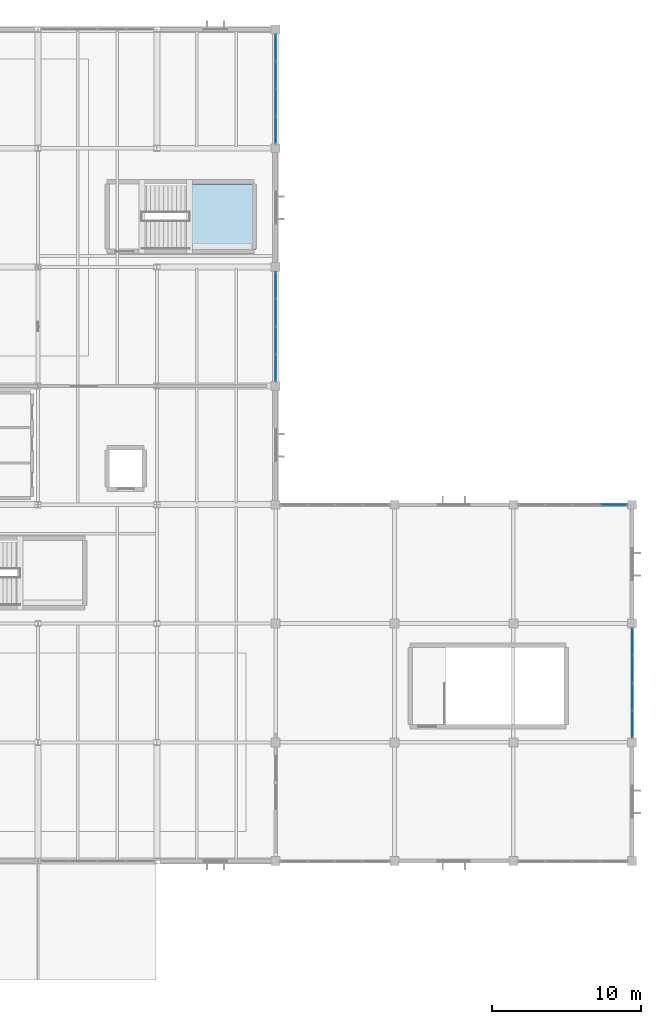
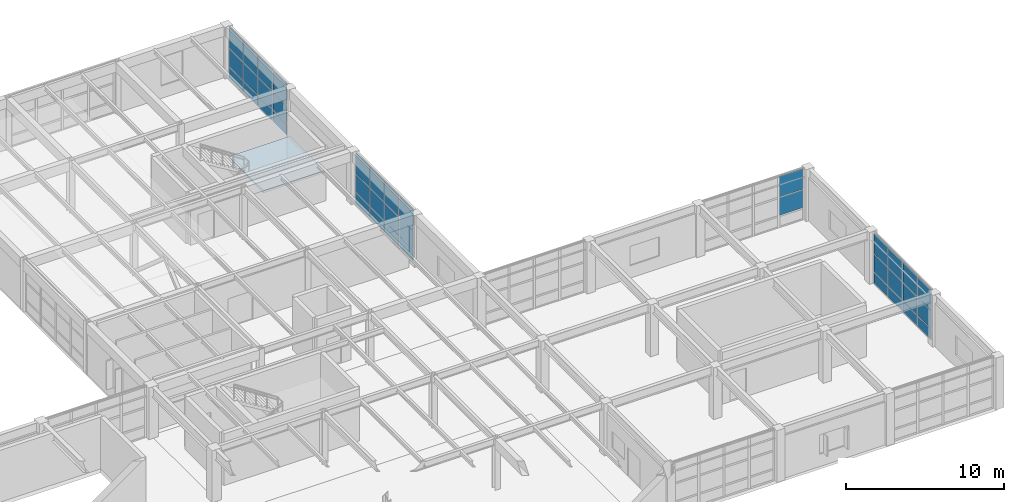
# One storey, part 34 of 48: 38 plates, 1 slab, 5 elements without a shape of their own.
"""IFC4 building model written with IfcOpenShell, lengths in metres."""

from ifc_helpers import new_model, si_unit, direction, frame, origin, origin_2d, place, context, subcontext, project, spatial, polyline, rectangle, outline, extrude, material, layer, layer_set, type_object, element, aggregate, save


model = new_model("IFC4")

# Units and contexts
model_context = context("Model", 3, precision=1e-05, world=origin(), true_north=direction((0.0, 1.0)))
body_context = subcontext(model_context, "Body", "Model", "MODEL_VIEW")
ifc_project = project(units=[si_unit("LENGTHUNIT", "METRE"), si_unit("AREAUNIT", "SQUARE_METRE"), si_unit("VOLUMEUNIT", "CUBIC_METRE"), si_unit("PLANEANGLEUNIT", "RADIAN"), si_unit("MASSUNIT", "GRAM", prefix="KILO")], contexts=[model_context])

# Site, building, storey
site_placement = place(None, origin())
site = spatial("IfcSite", under=ifc_project, at=site_placement, CompositionType="ELEMENT")
building_placement = place(site_placement, origin())
building = spatial("IfcBuilding", under=site, at=building_placement, Name="Varnela Railside Interchange", CompositionType="ELEMENT")
storey_placement = place(building_placement, frame((0.0, 0.0, 11.199951171875)))
storey = spatial("IfcBuildingStorey", under=building, at=storey_placement, Name="L02", CompositionType="ELEMENT", Elevation=11.199951171875)

# Curtain wall, plates
ifc_material_1 = material(Name="Aluminium 6063-T6", Category="aluminium")
ifc_layer_1 = layer(ifc_material_1, 0.035888671875)
ifc_layer_set_1 = layer_set([ifc_layer_1], Name="Aluminium 6063-T6")
curtain_wall_type = type_object("IfcCurtainWallType", Name="Study Pavilion Gallery Curtain Wall CW-02", PredefinedType="USERDEFINED", material=ifc_layer_set_1)
curtain_wall_1_placement = place(storey_placement, origin())
curtain_wall_1 = element("IfcCurtainWall", 1, at=curtain_wall_1_placement, inside=storey, type_object=curtain_wall_type, Name="Curtain Wall CW-02 (L02) (CW-058)", ObjectType="CURTAIN WALL", PredefinedType="USERDEFINED")
ifc_material_2 = material(Name="Glass laminated double", Category="glass")
ifc_layer_2 = layer(ifc_material_2, 0.02001953125)
ifc_layer_set_2 = layer_set([ifc_layer_2], Name="Glass laminated double")
plate_type = type_object("IfcPlateType", Name="Low-E Vision Glazing Panel GL-01", PredefinedType="CURTAIN_PANEL", material=ifc_layer_set_2)
plate_1_placement = place(storey_placement, frame((140.0, 92.760009765625, 0.06005859375), z_axis=(0.0, 0.0, 1.0), x_axis=(0.0, -1.0, 0.0)))
plate_1 = element("IfcPlate", 2, at=plate_1_placement, type_object=plate_type, Name="CW-02 panel 1.1", PredefinedType="CURTAIN_PANEL", context=body_context, shape_type="SweptSolid", body=[
    extrude(rectangle(XDim=1.760009765625, YDim=0.02001953125, at=origin_2d()), origin(), (0.0, 0.0, 1.0), 0.81005859375),
])
plate_2_placement = place(storey_placement, frame((140.0, 92.760009765625, 0.93017578125), z_axis=(0.0, 0.0, 1.0), x_axis=(0.0, -1.0, 0.0)))
plate_2 = element("IfcPlate", 3, at=plate_2_placement, type_object=plate_type, Name="CW-02 panel 1.2", PredefinedType="CURTAIN_PANEL", context=body_context, shape_type="SweptSolid", body=[
    extrude(rectangle(XDim=1.760009765625, YDim=0.02001953125, at=origin_2d()), origin(), (0.0, 0.0, 1.0), 1.360107421875),
])
plate_3_placement = place(storey_placement, frame((140.0, 92.760009765625, 2.35009765625), z_axis=(0.0, 0.0, 1.0), x_axis=(0.0, -1.0, 0.0)))
plate_3 = element("IfcPlate", 4, at=plate_3_placement, type_object=plate_type, Name="CW-02 panel 1.3", PredefinedType="CURTAIN_PANEL", context=body_context, shape_type="SweptSolid", body=[
    extrude(rectangle(XDim=1.760009765625, YDim=0.02001953125, at=origin_2d()), origin(), (0.0, 0.0, 1.0), 1.590087890625),
])
plate_4_placement = place(storey_placement, frame((140.0, 90.925048828125, 0.06005859375), z_axis=(0.0, 0.0, 1.0), x_axis=(0.0, -1.0, 0.0)))
plate_4 = element("IfcPlate", 5, at=plate_4_placement, type_object=plate_type, Name="CW-02 panel 2.1", PredefinedType="CURTAIN_PANEL", context=body_context, shape_type="SweptSolid", body=[
    extrude(rectangle(XDim=1.7900390625, YDim=0.02001953125, at=origin_2d()), origin(), (0.0, 0.0, 1.0), 0.81005859375),
])
plate_5_placement = place(storey_placement, frame((140.0, 90.925048828125, 0.93017578125), z_axis=(0.0, 0.0, 1.0), x_axis=(0.0, -1.0, 0.0)))
plate_5 = element("IfcPlate", 6, at=plate_5_placement, type_object=plate_type, Name="CW-02 panel 2.2", PredefinedType="CURTAIN_PANEL", context=body_context, shape_type="SweptSolid", body=[
    extrude(rectangle(XDim=1.7900390625, YDim=0.02001953125, at=origin_2d()), origin(), (0.0, 0.0, 1.0), 1.360107421875),
])
plate_6_placement = place(storey_placement, frame((140.0, 90.925048828125, 2.35009765625), z_axis=(0.0, 0.0, 1.0), x_axis=(0.0, -1.0, 0.0)))
plate_6 = element("IfcPlate", 7, at=plate_6_placement, type_object=plate_type, Name="CW-02 panel 2.3", PredefinedType="CURTAIN_PANEL", context=body_context, shape_type="SweptSolid", body=[
    extrude(rectangle(XDim=1.7900390625, YDim=0.02001953125, at=origin_2d()), origin(), (0.0, 0.0, 1.0), 1.590087890625),
])
plate_7_placement = place(storey_placement, frame((140.0, 89.074951171875, 0.06005859375), z_axis=(0.0, 0.0, 1.0), x_axis=(0.0, -1.0, 0.0)))
plate_7 = element("IfcPlate", 8, at=plate_7_placement, type_object=plate_type, Name="CW-02 panel 3.1", PredefinedType="CURTAIN_PANEL", context=body_context, shape_type="SweptSolid", body=[
    extrude(rectangle(XDim=1.7900390625, YDim=0.02001953125, at=origin_2d()), origin(), (0.0, 0.0, 1.0), 0.81005859375),
])
plate_8_placement = place(storey_placement, frame((140.0, 89.074951171875, 0.93017578125), z_axis=(0.0, 0.0, 1.0), x_axis=(0.0, -1.0, 0.0)))
plate_8 = element("IfcPlate", 9, at=plate_8_placement, type_object=plate_type, Name="CW-02 panel 3.2", PredefinedType="CURTAIN_PANEL", context=body_context, shape_type="SweptSolid", body=[
    extrude(rectangle(XDim=1.7900390625, YDim=0.02001953125, at=origin_2d()), origin(), (0.0, 0.0, 1.0), 1.360107421875),
])
plate_9_placement = place(storey_placement, frame((140.0, 89.074951171875, 2.35009765625), z_axis=(0.0, 0.0, 1.0), x_axis=(0.0, -1.0, 0.0)))
plate_9 = element("IfcPlate", 10, at=plate_9_placement, type_object=plate_type, Name="CW-02 panel 3.3", PredefinedType="CURTAIN_PANEL", context=body_context, shape_type="SweptSolid", body=[
    extrude(rectangle(XDim=1.7900390625, YDim=0.02001953125, at=origin_2d()), origin(), (0.0, 0.0, 1.0), 1.590087890625),
])
plate_10_placement = place(storey_placement, frame((140.0, 87.239990234375, 0.06005859375), z_axis=(0.0, 0.0, 1.0), x_axis=(0.0, -1.0, 0.0)))
plate_10 = element("IfcPlate", 11, at=plate_10_placement, type_object=plate_type, Name="CW-02 panel 4.1", PredefinedType="CURTAIN_PANEL", context=body_context, shape_type="SweptSolid", body=[
    extrude(rectangle(XDim=1.760009765625, YDim=0.02001953125, at=origin_2d()), origin(), (0.0, 0.0, 1.0), 0.81005859375),
])
plate_11_placement = place(storey_placement, frame((140.0, 87.239990234375, 0.93017578125), z_axis=(0.0, 0.0, 1.0), x_axis=(0.0, -1.0, 0.0)))
plate_11 = element("IfcPlate", 12, at=plate_11_placement, type_object=plate_type, Name="CW-02 panel 4.2", PredefinedType="CURTAIN_PANEL", context=body_context, shape_type="SweptSolid", body=[
    extrude(rectangle(XDim=1.760009765625, YDim=0.02001953125, at=origin_2d()), origin(), (0.0, 0.0, 1.0), 1.360107421875),
])
plate_12_placement = place(storey_placement, frame((140.0, 87.239990234375, 2.35009765625), z_axis=(0.0, 0.0, 1.0), x_axis=(0.0, -1.0, 0.0)))
plate_12 = element("IfcPlate", 13, at=plate_12_placement, type_object=plate_type, Name="CW-02 panel 4.3", PredefinedType="CURTAIN_PANEL", context=body_context, shape_type="SweptSolid", body=[
    extrude(rectangle(XDim=1.760009765625, YDim=0.02001953125, at=origin_2d()), origin(), (0.0, 0.0, 1.0), 1.590087890625),
])
aggregate(curtain_wall_1, [plate_1, plate_2, plate_3, plate_4, plate_5, plate_6, plate_7, plate_8, plate_9, plate_10, plate_11, plate_12])

curtain_wall_2_placement = place(storey_placement, origin())
curtain_wall_2 = element("IfcCurtainWall", 14, at=curtain_wall_2_placement, inside=storey, type_object=curtain_wall_type, Name="Curtain Wall CW-02 (L02) (CW-059)", ObjectType="CURTAIN WALL", PredefinedType="USERDEFINED")
plate_13_placement = place(storey_placement, frame((140.0, 76.760009765625, 0.06005859375), z_axis=(0.0, 0.0, 1.0), x_axis=(0.0, -1.0, 0.0)))
plate_13 = element("IfcPlate", 15, at=plate_13_placement, type_object=plate_type, Name="CW-02 panel 1.1", PredefinedType="CURTAIN_PANEL", context=body_context, shape_type="SweptSolid", body=[
    extrude(rectangle(XDim=1.760009765625, YDim=0.02001953125, at=origin_2d()), origin(), (0.0, 0.0, 1.0), 0.81005859375),
])
plate_14_placement = place(storey_placement, frame((140.0, 76.760009765625, 0.93017578125), z_axis=(0.0, 0.0, 1.0), x_axis=(0.0, -1.0, 0.0)))
plate_14 = element("IfcPlate", 16, at=plate_14_placement, type_object=plate_type, Name="CW-02 panel 1.2", PredefinedType="CURTAIN_PANEL", context=body_context, shape_type="SweptSolid", body=[
    extrude(rectangle(XDim=1.760009765625, YDim=0.02001953125, at=origin_2d()), origin(), (0.0, 0.0, 1.0), 1.360107421875),
])
plate_15_placement = place(storey_placement, frame((140.0, 76.760009765625, 2.35009765625), z_axis=(0.0, 0.0, 1.0), x_axis=(0.0, -1.0, 0.0)))
plate_15 = element("IfcPlate", 17, at=plate_15_placement, type_object=plate_type, Name="CW-02 panel 1.3", PredefinedType="CURTAIN_PANEL", context=body_context, shape_type="SweptSolid", body=[
    extrude(rectangle(XDim=1.760009765625, YDim=0.02001953125, at=origin_2d()), origin(), (0.0, 0.0, 1.0), 1.590087890625),
])
plate_16_placement = place(storey_placement, frame((140.0, 74.925048828125, 0.06005859375), z_axis=(0.0, 0.0, 1.0), x_axis=(0.0, -1.0, 0.0)))
plate_16 = element("IfcPlate", 18, at=plate_16_placement, type_object=plate_type, Name="CW-02 panel 2.1", PredefinedType="CURTAIN_PANEL", context=body_context, shape_type="SweptSolid", body=[
    extrude(rectangle(XDim=1.7900390625, YDim=0.02001953125, at=origin_2d()), origin(), (0.0, 0.0, 1.0), 0.81005859375),
])
plate_17_placement = place(storey_placement, frame((140.0, 74.925048828125, 0.93017578125), z_axis=(0.0, 0.0, 1.0), x_axis=(0.0, -1.0, 0.0)))
plate_17 = element("IfcPlate", 19, at=plate_17_placement, type_object=plate_type, Name="CW-02 panel 2.2", PredefinedType="CURTAIN_PANEL", context=body_context, shape_type="SweptSolid", body=[
    extrude(rectangle(XDim=1.7900390625, YDim=0.02001953125, at=origin_2d()), origin(), (0.0, 0.0, 1.0), 1.360107421875),
])
plate_18_placement = place(storey_placement, frame((140.0, 74.925048828125, 2.35009765625), z_axis=(0.0, 0.0, 1.0), x_axis=(0.0, -1.0, 0.0)))
plate_18 = element("IfcPlate", 20, at=plate_18_placement, type_object=plate_type, Name="CW-02 panel 2.3", PredefinedType="CURTAIN_PANEL", context=body_context, shape_type="SweptSolid", body=[
    extrude(rectangle(XDim=1.7900390625, YDim=0.02001953125, at=origin_2d()), origin(), (0.0, 0.0, 1.0), 1.590087890625),
])
plate_19_placement = place(storey_placement, frame((140.0, 73.074951171875, 0.06005859375), z_axis=(0.0, 0.0, 1.0), x_axis=(0.0, -1.0, 0.0)))
plate_19 = element("IfcPlate", 21, at=plate_19_placement, type_object=plate_type, Name="CW-02 panel 3.1", PredefinedType="CURTAIN_PANEL", context=body_context, shape_type="SweptSolid", body=[
    extrude(rectangle(XDim=1.7900390625, YDim=0.02001953125, at=origin_2d()), origin(), (0.0, 0.0, 1.0), 0.81005859375),
])
plate_20_placement = place(storey_placement, frame((140.0, 73.074951171875, 0.93017578125), z_axis=(0.0, 0.0, 1.0), x_axis=(0.0, -1.0, 0.0)))
plate_20 = element("IfcPlate", 22, at=plate_20_placement, type_object=plate_type, Name="CW-02 panel 3.2", PredefinedType="CURTAIN_PANEL", context=body_context, shape_type="SweptSolid", body=[
    extrude(rectangle(XDim=1.7900390625, YDim=0.02001953125, at=origin_2d()), origin(), (0.0, 0.0, 1.0), 1.360107421875),
])
plate_21_placement = place(storey_placement, frame((140.0, 73.074951171875, 2.35009765625), z_axis=(0.0, 0.0, 1.0), x_axis=(0.0, -1.0, 0.0)))
plate_21 = element("IfcPlate", 23, at=plate_21_placement, type_object=plate_type, Name="CW-02 panel 3.3", PredefinedType="CURTAIN_PANEL", context=body_context, shape_type="SweptSolid", body=[
    extrude(rectangle(XDim=1.7900390625, YDim=0.02001953125, at=origin_2d()), origin(), (0.0, 0.0, 1.0), 1.590087890625),
])
plate_22_placement = place(storey_placement, frame((140.0, 71.239990234375, 0.06005859375), z_axis=(0.0, 0.0, 1.0), x_axis=(0.0, -1.0, 0.0)))
plate_22 = element("IfcPlate", 24, at=plate_22_placement, type_object=plate_type, Name="CW-02 panel 4.1", PredefinedType="CURTAIN_PANEL", context=body_context, shape_type="SweptSolid", body=[
    extrude(rectangle(XDim=1.760009765625, YDim=0.02001953125, at=origin_2d()), origin(), (0.0, 0.0, 1.0), 0.81005859375),
])
plate_23_placement = place(storey_placement, frame((140.0, 71.239990234375, 0.93017578125), z_axis=(0.0, 0.0, 1.0), x_axis=(0.0, -1.0, 0.0)))
plate_23 = element("IfcPlate", 25, at=plate_23_placement, type_object=plate_type, Name="CW-02 panel 4.2", PredefinedType="CURTAIN_PANEL", context=body_context, shape_type="SweptSolid", body=[
    extrude(rectangle(XDim=1.760009765625, YDim=0.02001953125, at=origin_2d()), origin(), (0.0, 0.0, 1.0), 1.360107421875),
])
plate_24_placement = place(storey_placement, frame((140.0, 71.239990234375, 2.35009765625), z_axis=(0.0, 0.0, 1.0), x_axis=(0.0, -1.0, 0.0)))
plate_24 = element("IfcPlate", 26, at=plate_24_placement, type_object=plate_type, Name="CW-02 panel 4.3", PredefinedType="CURTAIN_PANEL", context=body_context, shape_type="SweptSolid", body=[
    extrude(rectangle(XDim=1.760009765625, YDim=0.02001953125, at=origin_2d()), origin(), (0.0, 0.0, 1.0), 1.590087890625),
])
aggregate(curtain_wall_2, [plate_13, plate_14, plate_15, plate_16, plate_17, plate_18, plate_19, plate_20, plate_21, plate_22, plate_23, plate_24])

curtain_wall_3_placement = place(storey_placement, origin())
curtain_wall_3 = element("IfcCurtainWall", 27, at=curtain_wall_3_placement, inside=storey, type_object=curtain_wall_type, Name="Curtain Wall CW-02 (L02) (CW-062)", ObjectType="CURTAIN WALL", PredefinedType="USERDEFINED")
plate_25_placement = place(storey_placement, frame((162.760009765625, 62.0, 0.93017578125), z_axis=(0.0, 0.0, 1.0), x_axis=(1.0, 0.0, 0.0)))
plate_25 = element("IfcPlate", 28, at=plate_25_placement, type_object=plate_type, Name="CW-02 panel 4.2", PredefinedType="CURTAIN_PANEL", context=body_context, shape_type="SweptSolid", body=[
    extrude(rectangle(XDim=1.760009765625, YDim=0.02001953125, at=origin_2d()), origin(), (0.0, 0.0, 1.0), 1.360107421875),
])
plate_26_placement = place(storey_placement, frame((162.760009765625, 62.0, 2.35009765625), z_axis=(0.0, 0.0, 1.0), x_axis=(1.0, 0.0, 0.0)))
plate_26 = element("IfcPlate", 29, at=plate_26_placement, type_object=plate_type, Name="CW-02 panel 4.3", PredefinedType="CURTAIN_PANEL", context=body_context, shape_type="SweptSolid", body=[
    extrude(rectangle(XDim=1.760009765625, YDim=0.02001953125, at=origin_2d()), origin(), (0.0, 0.0, 1.0), 1.590087890625),
])
aggregate(curtain_wall_3, [plate_25, plate_26])

curtain_wall_4_placement = place(storey_placement, origin())
curtain_wall_4 = element("IfcCurtainWall", 30, at=curtain_wall_4_placement, inside=storey, type_object=curtain_wall_type, Name="Curtain Wall CW-02 (L02) (CW-063)", ObjectType="CURTAIN WALL", PredefinedType="USERDEFINED")
plate_27_placement = place(storey_placement, frame((164.0, 52.760009765625, 0.06005859375), z_axis=(0.0, 0.0, 1.0), x_axis=(0.0, -1.0, 0.0)))
plate_27 = element("IfcPlate", 31, at=plate_27_placement, type_object=plate_type, Name="CW-02 panel 1.1", PredefinedType="CURTAIN_PANEL", context=body_context, shape_type="SweptSolid", body=[
    extrude(rectangle(XDim=1.760009765625, YDim=0.02001953125, at=origin_2d()), origin(), (0.0, 0.0, 1.0), 0.81005859375),
])
plate_28_placement = place(storey_placement, frame((164.0, 52.760009765625, 0.93017578125), z_axis=(0.0, 0.0, 1.0), x_axis=(0.0, -1.0, 0.0)))
plate_28 = element("IfcPlate", 32, at=plate_28_placement, type_object=plate_type, Name="CW-02 panel 1.2", PredefinedType="CURTAIN_PANEL", context=body_context, shape_type="SweptSolid", body=[
    extrude(rectangle(XDim=1.760009765625, YDim=0.02001953125, at=origin_2d()), origin(), (0.0, 0.0, 1.0), 1.360107421875),
])
plate_29_placement = place(storey_placement, frame((164.0, 52.760009765625, 2.35009765625), z_axis=(0.0, 0.0, 1.0), x_axis=(0.0, -1.0, 0.0)))
plate_29 = element("IfcPlate", 33, at=plate_29_placement, type_object=plate_type, Name="CW-02 panel 1.3", PredefinedType="CURTAIN_PANEL", context=body_context, shape_type="SweptSolid", body=[
    extrude(rectangle(XDim=1.760009765625, YDim=0.02001953125, at=origin_2d()), origin(), (0.0, 0.0, 1.0), 1.590087890625),
])
plate_30_placement = place(storey_placement, frame((164.0, 50.925048828125, 0.06005859375), z_axis=(0.0, 0.0, 1.0), x_axis=(0.0, -1.0, 0.0)))
plate_30 = element("IfcPlate", 34, at=plate_30_placement, type_object=plate_type, Name="CW-02 panel 2.1", PredefinedType="CURTAIN_PANEL", context=body_context, shape_type="SweptSolid", body=[
    extrude(rectangle(XDim=1.7900390625, YDim=0.02001953125, at=origin_2d()), origin(), (0.0, 0.0, 1.0), 0.81005859375),
])
plate_31_placement = place(storey_placement, frame((164.0, 50.925048828125, 0.93017578125), z_axis=(0.0, 0.0, 1.0), x_axis=(0.0, -1.0, 0.0)))
plate_31 = element("IfcPlate", 35, at=plate_31_placement, type_object=plate_type, Name="CW-02 panel 2.2", PredefinedType="CURTAIN_PANEL", context=body_context, shape_type="SweptSolid", body=[
    extrude(rectangle(XDim=1.7900390625, YDim=0.02001953125, at=origin_2d()), origin(), (0.0, 0.0, 1.0), 1.360107421875),
])
plate_32_placement = place(storey_placement, frame((164.0, 50.925048828125, 2.35009765625), z_axis=(0.0, 0.0, 1.0), x_axis=(0.0, -1.0, 0.0)))
plate_32 = element("IfcPlate", 36, at=plate_32_placement, type_object=plate_type, Name="CW-02 panel 2.3", PredefinedType="CURTAIN_PANEL", context=body_context, shape_type="SweptSolid", body=[
    extrude(rectangle(XDim=1.7900390625, YDim=0.02001953125, at=origin_2d()), origin(), (0.0, 0.0, 1.0), 1.590087890625),
])
plate_33_placement = place(storey_placement, frame((164.0, 49.074951171875, 0.06005859375), z_axis=(0.0, 0.0, 1.0), x_axis=(0.0, -1.0, 0.0)))
plate_33 = element("IfcPlate", 37, at=plate_33_placement, type_object=plate_type, Name="CW-02 panel 3.1", PredefinedType="CURTAIN_PANEL", context=body_context, shape_type="SweptSolid", body=[
    extrude(rectangle(XDim=1.7900390625, YDim=0.02001953125, at=origin_2d()), origin(), (0.0, 0.0, 1.0), 0.81005859375),
])
plate_34_placement = place(storey_placement, frame((164.0, 49.074951171875, 0.93017578125), z_axis=(0.0, 0.0, 1.0), x_axis=(0.0, -1.0, 0.0)))
plate_34 = element("IfcPlate", 38, at=plate_34_placement, type_object=plate_type, Name="CW-02 panel 3.2", PredefinedType="CURTAIN_PANEL", context=body_context, shape_type="SweptSolid", body=[
    extrude(rectangle(XDim=1.7900390625, YDim=0.02001953125, at=origin_2d()), origin(), (0.0, 0.0, 1.0), 1.360107421875),
])
plate_35_placement = place(storey_placement, frame((164.0, 49.074951171875, 2.35009765625), z_axis=(0.0, 0.0, 1.0), x_axis=(0.0, -1.0, 0.0)))
plate_35 = element("IfcPlate", 39, at=plate_35_placement, type_object=plate_type, Name="CW-02 panel 3.3", PredefinedType="CURTAIN_PANEL", context=body_context, shape_type="SweptSolid", body=[
    extrude(rectangle(XDim=1.7900390625, YDim=0.02001953125, at=origin_2d()), origin(), (0.0, 0.0, 1.0), 1.590087890625),
])
plate_36_placement = place(storey_placement, frame((164.0, 47.239990234375, 0.06005859375), z_axis=(0.0, 0.0, 1.0), x_axis=(0.0, -1.0, 0.0)))
plate_36 = element("IfcPlate", 40, at=plate_36_placement, type_object=plate_type, Name="CW-02 panel 4.1", PredefinedType="CURTAIN_PANEL", context=body_context, shape_type="SweptSolid", body=[
    extrude(rectangle(XDim=1.760009765625, YDim=0.02001953125, at=origin_2d()), origin(), (0.0, 0.0, 1.0), 0.81005859375),
])
plate_37_placement = place(storey_placement, frame((164.0, 47.239990234375, 0.93017578125), z_axis=(0.0, 0.0, 1.0), x_axis=(0.0, -1.0, 0.0)))
plate_37 = element("IfcPlate", 41, at=plate_37_placement, type_object=plate_type, Name="CW-02 panel 4.2", PredefinedType="CURTAIN_PANEL", context=body_context, shape_type="SweptSolid", body=[
    extrude(rectangle(XDim=1.760009765625, YDim=0.02001953125, at=origin_2d()), origin(), (0.0, 0.0, 1.0), 1.360107421875),
])
plate_38_placement = place(storey_placement, frame((164.0, 47.239990234375, 2.35009765625), z_axis=(0.0, 0.0, 1.0), x_axis=(0.0, -1.0, 0.0)))
plate_38 = element("IfcPlate", 42, at=plate_38_placement, type_object=plate_type, Name="CW-02 panel 4.3", PredefinedType="CURTAIN_PANEL", context=body_context, shape_type="SweptSolid", body=[
    extrude(rectangle(XDim=1.760009765625, YDim=0.02001953125, at=origin_2d()), origin(), (0.0, 0.0, 1.0), 1.590087890625),
])
aggregate(curtain_wall_4, [plate_27, plate_28, plate_29, plate_30, plate_31, plate_32, plate_33, plate_34, plate_35, plate_36, plate_37, plate_38])

# Stair, slab
ifc_material_3 = material(Name="Concrete C40", Category="concrete")
stair_type = type_object("IfcStairType", Name="Study Pavilion Stair ST-180", PredefinedType="TWO_STRAIGHT_RUN_STAIR", material=ifc_material_3)
stair_placement = place(storey_placement, origin())
stair = element("IfcStair", 43, at=stair_placement, inside=storey, type_object=stair_type, Name="Stair ST-E2 (L02) (SF-160)", PredefinedType="TWO_STRAIGHT_RUN_STAIR")
ifc_layer_3 = layer(ifc_material_3, 0.159912109375)
ifc_layer_set_3 = layer_set([ifc_layer_3], Name="Concrete C40")
slab_type = type_object("IfcSlabType", Name="Stair Half-Landing Slab SL-LD", PredefinedType="LANDING", material=ifc_layer_set_3)
slab_placement = place(storey_placement, frame((0.0, 0.0, 1.93994140625)))
slab = element("IfcSlab", 44, at=slab_placement, type_object=slab_type, Name="ST-E2 landing 1 (SL-0149)", PredefinedType="LANDING", context=body_context, shape_type="SweptSolid", body=[
    extrude(outline(polyline([(134.159912109375, 79.199951171875), (138.659912109375, 79.199951171875), (138.659912109375, 83.60009765625), (134.159912109375, 83.60009765625), (134.159912109375, 79.199951171875)])), origin(), (0.0, 0.0, 1.0), 0.16015625),
])
aggregate(stair, [slab])

save(model, "model.ifc")
